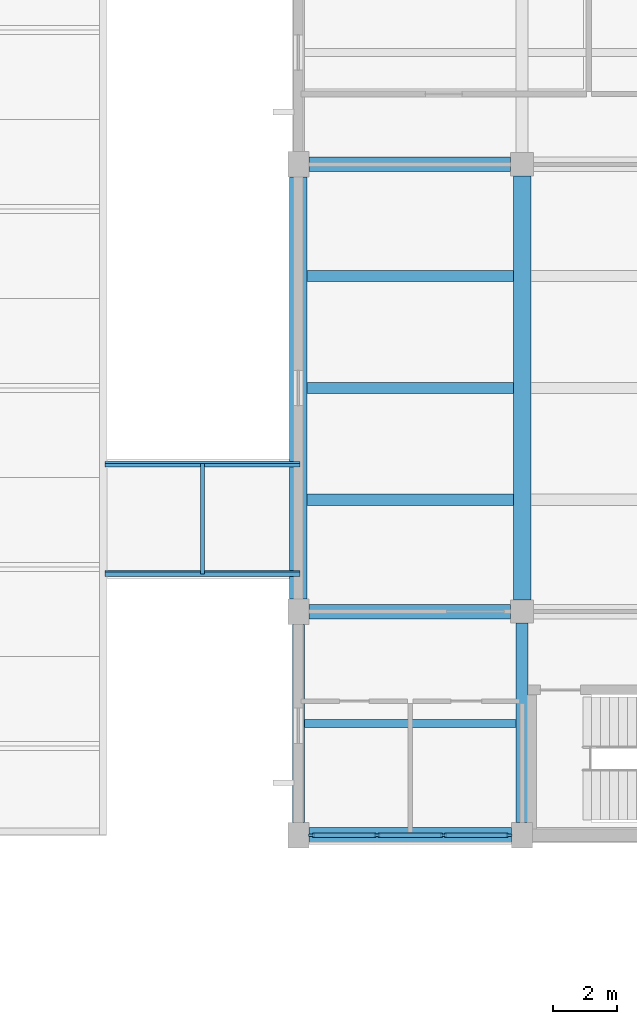
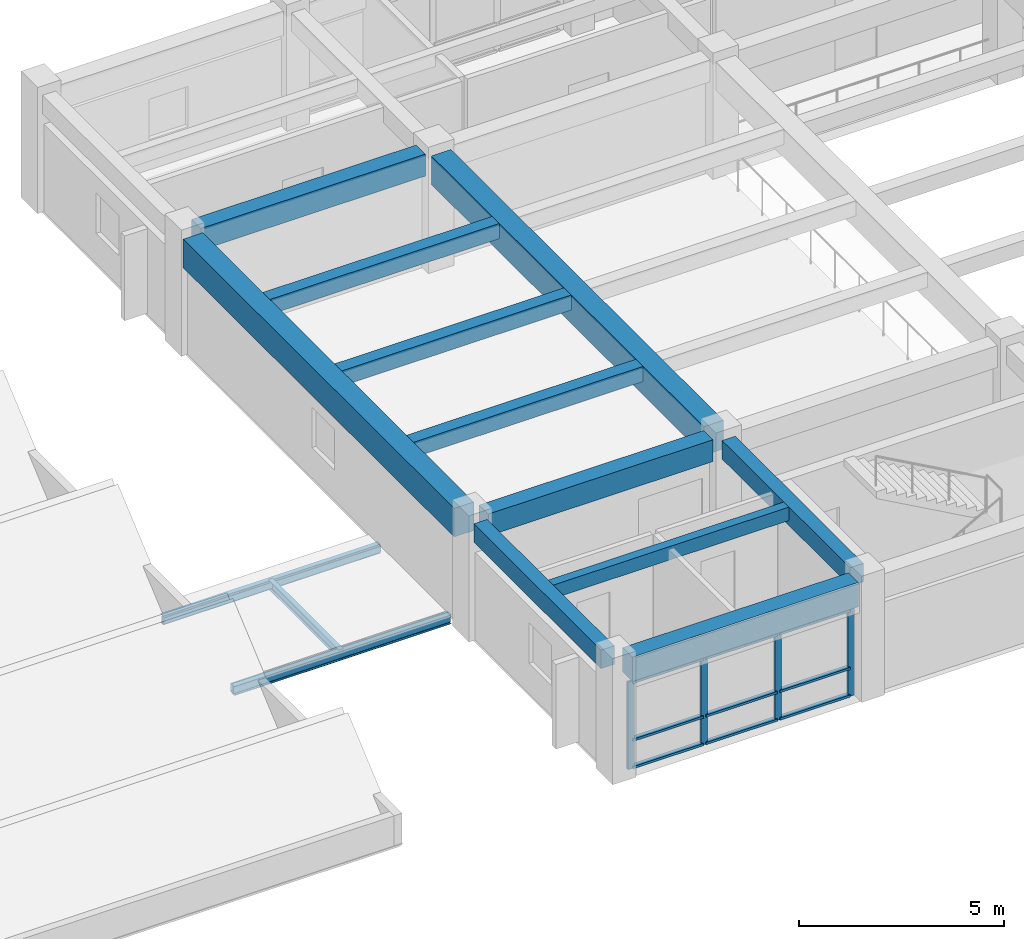
# One storey, part 4 of 42: 15 members, 14 beams, 1 element without a shape of its own.
"""IFC4 building model written with IfcOpenShell, lengths in metres."""

from ifc_helpers import new_model, si_unit, direction, frame, origin, origin_2d, place, context, subcontext, project, spatial, rectangle, hollow_rectangle, i_section, extrude, material, layer, layer_set, material_profile, profile_set, type_object, element, aggregate, save


model = new_model("IFC4")

# Units and contexts
model_context = context("Model", 3, precision=1e-05, world=origin(), true_north=direction((0.0, 1.0)))
body_context = subcontext(model_context, "Body", "Model", "MODEL_VIEW")
ifc_project = project(units=[si_unit("LENGTHUNIT", "METRE"), si_unit("AREAUNIT", "SQUARE_METRE"), si_unit("VOLUMEUNIT", "CUBIC_METRE"), si_unit("PLANEANGLEUNIT", "RADIAN"), si_unit("MASSUNIT", "GRAM", prefix="KILO")], contexts=[model_context])

# Site, building, storey
site_placement = place(None, origin())
site = spatial("IfcSite", under=ifc_project, at=site_placement, CompositionType="ELEMENT")
building_placement = place(site_placement, origin())
building = spatial("IfcBuilding", under=site, at=building_placement, Name="Naurynzar Civic Courthouse", CompositionType="ELEMENT")
storey_placement = place(building_placement, frame((0.0, 0.0, 18.300048828125)))
storey = spatial("IfcBuildingStorey", under=building, at=storey_placement, Name="L05", CompositionType="ELEMENT", Elevation=18.300048828125)

# Beams
ifc_material_1 = material(Name="Concrete C40/50", Category="concrete")
ifc_material_profile_1 = material_profile(ifc_material_1, rectangle(XDim=0.25, YDim=0.39990234375, at=origin_2d()), Name="RCB 250x400")
ifc_profile_set_1 = profile_set([ifc_material_profile_1], Name="Concrete C40/50")
beam_type_1 = type_object("IfcBeamType", Name="BM-JST-250x400", PredefinedType="JOIST", material=ifc_profile_set_1)
beam_1_placement = place(storey_placement, frame((62.1875, 47.5, 3.27001953125), z_axis=(1.0, 0.0, 0.0), x_axis=(0.0, 1.0, 0.0)))
element("IfcBeam", 1, at=beam_1_placement, inside=storey, type_object=beam_type_1, Name="V2 secondary rib 801 L05", PredefinedType="JOIST", context=body_context, shape_type="SweptSolid", body=[
    extrude(rectangle(XDim=0.25, YDim=0.39990234375, at=origin_2d()), origin(), (0.0, 0.0, 1.0), 6.625),
])
ifc_material_2 = material(Name="Concrete C40/50", Category="concrete")
ifc_material_profile_2 = material_profile(ifc_material_2, rectangle(XDim=0.550048828125, YDim=0.85009765625, at=origin_2d()), Name="PTB 550x850")
ifc_profile_set_2 = profile_set([ifc_material_profile_2], Name="Concrete C40/50")
beam_type_2 = type_object("IfcBeamType", Name="BM-PT-550x850", PredefinedType="T_BEAM", material=ifc_profile_set_2)
beam_2_placement = place(storey_placement, frame((62.0, 51.39990234375, 3.044921875), z_axis=(0.0, 1.0, 0.0), x_axis=(-1.0, 0.0, 0.0)))
element("IfcBeam", 2, at=beam_2_placement, inside=storey, type_object=beam_type_2, Name="V2 girder Y-775 L05", PredefinedType="T_BEAM", context=body_context, shape_type="SweptSolid", body=[
    extrude(rectangle(XDim=0.550048828125, YDim=0.85009765625, at=origin_2d()), origin(), (0.0, 0.0, 1.0), 13.2001953125),
])
beam_3_placement = place(storey_placement, frame((69.0, 51.362548828125, 3.044921875), z_axis=(0.0, 1.0, 0.0), x_axis=(-1.0, 0.0, 0.0)))
element("IfcBeam", 3, at=beam_3_placement, inside=storey, type_object=beam_type_2, Name="V2 girder Y-778 L05", PredefinedType="T_BEAM", context=body_context, shape_type="SweptSolid", body=[
    extrude(rectangle(XDim=0.550048828125, YDim=0.85009765625, at=origin_2d()), origin(), (0.0, 0.0, 1.0), 13.27490234375),
])
ifc_material_3 = material(Name="Concrete C40/50", Category="concrete")
ifc_material_profile_3 = material_profile(ifc_material_3, rectangle(XDim=0.35009765625, YDim=0.449951171875, at=origin_2d()), Name="RCB 350x450")
ifc_profile_set_3 = profile_set([ifc_material_profile_3], Name="Concrete C40/50")
beam_type_3 = type_object("IfcBeamType", Name="BM-RC-350x450", PredefinedType="BEAM", material=ifc_profile_set_3)
for number, where, z_axis, x_axis, name in (
    (4, (62.27490234375, 54.5, 3.244873046875), (1.0, 0.0, 0.0), (0.0, 1.0, 0.0), "V2 secondary rib 805 L05"),
    (5, (62.27490234375, 58.0, 3.244873046875), (1.0, 0.0, 0.0), (0.0, 1.0, 0.0), "V2 secondary rib 806 L05"),
    (6, (62.27490234375, 61.5, 3.244873046875), (1.0, 0.0, 0.0), (0.0, 1.0, 0.0), "V2 secondary rib 807 L05"),
):
    element("IfcBeam", number, at=place(storey_placement, frame(where, z_axis=z_axis, x_axis=x_axis)), inside=storey, type_object=beam_type_3, Name=name, PredefinedType="BEAM", context=body_context, shape_type="SweptSolid", body=[
        extrude(rectangle(XDim=0.35009765625, YDim=0.449951171875, at=origin_2d()), origin(), (0.0, 0.0, 1.0), 6.4501953125),
    ])
ifc_material_4 = material(Name="Concrete C40/50", Category="concrete")
ifc_material_profile_4 = material_profile(ifc_material_4, rectangle(XDim=0.375, YDim=0.550048828125, at=origin_2d()), Name="RCB 375x550")
ifc_profile_set_4 = profile_set([ifc_material_profile_4], Name="Concrete C40/50")
beam_type_4 = type_object("IfcBeamType", Name="BM-RC-375x550", PredefinedType="BEAM", material=ifc_profile_set_4)
beam_4_placement = place(storey_placement, frame((62.0, 44.39990234375, 3.195068359375), z_axis=(0.0, 1.0, 0.0), x_axis=(-1.0, 0.0, 0.0)))
element("IfcBeam", 7, at=beam_4_placement, inside=storey, type_object=beam_type_4, Name="V2 girder Y-774 L05", PredefinedType="BEAM", context=body_context, shape_type="SweptSolid", body=[
    extrude(rectangle(XDim=0.375, YDim=0.550048828125, at=origin_2d()), origin(), (0.0, 0.0, 1.0), 6.2001953125),
])
beam_5_placement = place(storey_placement, frame((69.0, 44.39990234375, 3.195068359375), z_axis=(0.0, 1.0, 0.0), x_axis=(-1.0, 0.0, 0.0)))
element("IfcBeam", 8, at=beam_5_placement, inside=storey, type_object=beam_type_4, Name="V2 girder Y-777 L05", PredefinedType="BEAM", context=body_context, shape_type="SweptSolid", body=[
    extrude(rectangle(XDim=0.375, YDim=0.550048828125, at=origin_2d()), origin(), (0.0, 0.0, 1.0), 6.237548828125),
])
ifc_material_5 = material(Name="Concrete C40/50", Category="concrete")
ifc_material_profile_5 = material_profile(ifc_material_5, rectangle(XDim=0.449951171875, YDim=0.64990234375, at=origin_2d()), Name="RCB 450x650")
ifc_profile_set_5 = profile_set([ifc_material_profile_5], Name="Concrete C40/50")
beam_type_5 = type_object("IfcBeamType", Name="BM-RC-450x650", PredefinedType="BEAM", material=ifc_profile_set_5)
for number, where, z_axis, x_axis, name in (
    (9, (62.324951171875, 51.0, 3.14501953125), (1.0, 0.0, 0.0), (0.0, 1.0, 0.0), "V2 beam X-750 L05"),
    (10, (62.324951171875, 65.0, 3.14501953125), (1.0, 0.0, 0.0), (0.0, 1.0, 0.0), "V2 beam X-758 L05"),
):
    element("IfcBeam", number, at=place(storey_placement, frame(where, z_axis=z_axis, x_axis=x_axis)), inside=storey, type_object=beam_type_5, Name=name, PredefinedType="BEAM", context=body_context, shape_type="SweptSolid", body=[
        extrude(rectangle(XDim=0.449951171875, YDim=0.64990234375, at=origin_2d()), origin(), (0.0, 0.0, 1.0), 6.3125),
    ])
ifc_material_6 = material(Name="Concrete C40/50", Category="concrete")
ifc_material_profile_6 = material_profile(ifc_material_6, rectangle(XDim=0.47509765625, YDim=0.72509765625, at=origin_2d()), Name="RCB 475x725")
ifc_profile_set_6 = profile_set([ifc_material_profile_6], Name="Concrete C40/50")
beam_type_6 = type_object("IfcBeamType", Name="BM-RC-475x725", PredefinedType="SPANDREL", material=ifc_profile_set_6)
beam_6_placement = place(storey_placement, frame((62.324951171875, 44.0, 3.107421875), z_axis=(1.0, 0.0, 0.0), x_axis=(0.0, 1.0, 0.0)))
element("IfcBeam", 11, at=beam_6_placement, inside=storey, type_object=beam_type_6, Name="V2 beam X-742 L05", PredefinedType="SPANDREL", context=body_context, shape_type="SweptSolid", body=[
    extrude(rectangle(XDim=0.47509765625, YDim=0.72509765625, at=origin_2d()), origin(), (0.0, 0.0, 1.0), 6.35009765625),
])
ifc_material_7 = material(Name="Steel S355", Category="steel")
ifc_material_profile_7 = material_profile(ifc_material_7, i_section(OverallWidth=0.135009765625, OverallDepth=0.27001953125, WebThickness=0.006591796875, FlangeThickness=0.01025390625, FilletRadius=0.014892578125, at=origin_2d()), Name="IPE 270")
ifc_profile_set_7 = profile_set([ifc_material_profile_7], Name="Steel S355")
beam_type_7 = type_object("IfcBeamType", Name="BM-STL-IPE270", PredefinedType="BEAM", material=ifc_profile_set_7)
for number, where, z_axis, x_axis, name in (
    (12, (55.949951171875, 52.169921875, -0.364990234375), (1.0, 0.0, 0.0), (0.0, 1.0, 0.0), "BR-N1 roof edge beam 1"),
    (13, (55.949951171875, 55.6298828125, -0.364990234375), (1.0, 0.0, 0.0), (0.0, 1.0, 0.0), "BR-N1 roof edge beam 2"),
):
    element("IfcBeam", number, at=place(storey_placement, frame(where, z_axis=z_axis, x_axis=x_axis)), inside=storey, type_object=beam_type_7, Name=name, PredefinedType="BEAM", context=body_context, shape_type="SweptSolid", body=[
        extrude(i_section(OverallWidth=0.135009765625, OverallDepth=0.27001953125, WebThickness=0.006591796875, FlangeThickness=0.01025390625, FilletRadius=0.014892578125, at=origin_2d()), origin(), (0.0, 0.0, 1.0), 6.10009765625),
    ])
beam_7_placement = place(storey_placement, frame((59.0, 52.169921875, -0.364990234375), z_axis=(0.0, 1.0, 0.0), x_axis=(-1.0, 0.0, 0.0)))
element("IfcBeam", 14, at=beam_7_placement, inside=storey, type_object=beam_type_7, Name="BR-N1 roof cross-beam 1", PredefinedType="BEAM", context=body_context, shape_type="SweptSolid", body=[
    extrude(i_section(OverallWidth=0.135009765625, OverallDepth=0.27001953125, WebThickness=0.006591796875, FlangeThickness=0.01025390625, FilletRadius=0.014892578125, at=origin_2d()), origin(), (0.0, 0.0, 1.0), 3.4599609375),
])

# Curtain wall, members
ifc_material_8 = material(Name="Aluminium 6063-T6", Category="aluminium")
ifc_layer = layer(ifc_material_8, 0.159912109375)
ifc_layer_set = layer_set([ifc_layer], Name="CW-UNIT-1800")
curtain_wall_type = type_object("IfcCurtainWallType", Name="CW-UNIT-1800", PredefinedType="NOTDEFINED", material=ifc_layer_set)
curtain_wall_placement = place(storey_placement, origin())
curtain_wall = element("IfcCurtainWall", 15, at=curtain_wall_placement, inside=storey, type_object=curtain_wall_type, Name="V2 unitised curtain wall 42 L05", PredefinedType="NOTDEFINED")
ifc_material_9 = material(Name="Aluminium 6063-T6", Category="aluminium")
ifc_material_profile_8 = material_profile(ifc_material_9, rectangle(XDim=0.070068359375, YDim=0.179931640625, at=origin_2d()), Name="ALU MULLION 70x180")
ifc_profile_set_8 = profile_set([ifc_material_profile_8], Name="Aluminium 6063-T6")
member_type_1 = type_object("IfcMemberType", Name="CWM-70x180", PredefinedType="MULLION", material=ifc_profile_set_8)
member_1_placement = place(storey_placement, frame((68.590087890625, 44.0, 0.0), z_axis=(0.0, 0.0, 1.0), x_axis=(0.0, -1.0, 0.0)))
member_1 = element("IfcMember", 16, at=member_1_placement, type_object=member_type_1, Name="CW-02 mullion 1", PredefinedType="MULLION", context=body_context, shape_type="SweptSolid", body=[
    extrude(rectangle(XDim=0.070068359375, YDim=0.179931640625, at=origin_2d()), origin(), (0.0, 0.0, 1.0), 2.599853515625),
])
member_2_placement = place(storey_placement, frame((66.541748046875, 44.0, 0.0), z_axis=(0.0, 0.0, 1.0), x_axis=(0.0, -1.0, 0.0)))
member_2 = element("IfcMember", 17, at=member_2_placement, type_object=member_type_1, Name="CW-02 mullion 2", PredefinedType="MULLION", context=body_context, shape_type="SweptSolid", body=[
    extrude(rectangle(XDim=0.070068359375, YDim=0.179931640625, at=origin_2d()), origin(), (0.0, 0.0, 1.0), 2.599853515625),
])
member_3_placement = place(storey_placement, frame((64.458251953125, 44.0, 0.0), z_axis=(0.0, 0.0, 1.0), x_axis=(0.0, -1.0, 0.0)))
member_3 = element("IfcMember", 18, at=member_3_placement, type_object=member_type_1, Name="CW-02 mullion 3", PredefinedType="MULLION", context=body_context, shape_type="SweptSolid", body=[
    extrude(rectangle(XDim=0.070068359375, YDim=0.179931640625, at=origin_2d()), origin(), (0.0, 0.0, 1.0), 2.599853515625),
])
member_4_placement = place(storey_placement, frame((62.409912109375, 44.0, 0.0), z_axis=(0.0, 0.0, 1.0), x_axis=(0.0, -1.0, 0.0)))
member_4 = element("IfcMember", 19, at=member_4_placement, type_object=member_type_1, Name="CW-02 mullion 4", PredefinedType="MULLION", context=body_context, shape_type="SweptSolid", body=[
    extrude(rectangle(XDim=0.070068359375, YDim=0.179931640625, at=origin_2d()), origin(), (0.0, 0.0, 1.0), 2.599853515625),
])
ifc_material_10 = material(Name="Aluminium 6063-T6", Category="aluminium")
ifc_material_profile_9 = material_profile(ifc_material_10, rectangle(XDim=0.1298828125, YDim=0.070068359375, at=origin_2d()), Name="ALU TRANSOM 70x130")
ifc_profile_set_9 = profile_set([ifc_material_profile_9], Name="Aluminium 6063-T6")
member_type_2 = type_object("IfcMemberType", Name="CWT-70x130", PredefinedType="USERDEFINED", material=ifc_profile_set_9)
member_5_placement = place(storey_placement, frame((68.554931640625, 44.0, 0.034912109375), z_axis=(-1.0, 0.0, 0.0), x_axis=(0.0, -1.0, 0.0)))
member_5 = element("IfcMember", 20, at=member_5_placement, type_object=member_type_2, Name="CW-02 transom 1.1", ObjectType="TRANSOM", PredefinedType="USERDEFINED", context=body_context, shape_type="SweptSolid", body=[
    extrude(rectangle(XDim=0.1298828125, YDim=0.070068359375, at=origin_2d()), origin(), (0.0, 0.0, 1.0), 1.978271484375),
])
member_6_placement = place(storey_placement, frame((68.554931640625, 44.0, 0.849853515625), z_axis=(-1.0, 0.0, 0.0), x_axis=(0.0, -1.0, 0.0)))
member_6 = element("IfcMember", 21, at=member_6_placement, type_object=member_type_2, Name="CW-02 transom 1.2", ObjectType="TRANSOM", PredefinedType="USERDEFINED", context=body_context, shape_type="SweptSolid", body=[
    extrude(rectangle(XDim=0.1298828125, YDim=0.070068359375, at=origin_2d()), origin(), (0.0, 0.0, 1.0), 1.978271484375),
])
member_7_placement = place(storey_placement, frame((68.554931640625, 44.0, 2.56494140625), z_axis=(-1.0, 0.0, 0.0), x_axis=(0.0, -1.0, 0.0)))
member_7 = element("IfcMember", 22, at=member_7_placement, type_object=member_type_2, Name="CW-02 transom 1.3", ObjectType="TRANSOM", PredefinedType="USERDEFINED", context=body_context, shape_type="SweptSolid", body=[
    extrude(rectangle(XDim=0.1298828125, YDim=0.070068359375, at=origin_2d()), origin(), (0.0, 0.0, 1.0), 1.978271484375),
])
member_8_placement = place(storey_placement, frame((66.506591796875, 44.0, 0.034912109375), z_axis=(-1.0, 0.0, 0.0), x_axis=(0.0, -1.0, 0.0)))
member_8 = element("IfcMember", 23, at=member_8_placement, type_object=member_type_2, Name="CW-02 transom 2.1", ObjectType="TRANSOM", PredefinedType="USERDEFINED", context=body_context, shape_type="SweptSolid", body=[
    extrude(rectangle(XDim=0.1298828125, YDim=0.070068359375, at=origin_2d()), origin(), (0.0, 0.0, 1.0), 2.01318359375),
])
member_9_placement = place(storey_placement, frame((66.506591796875, 44.0, 0.849853515625), z_axis=(-1.0, 0.0, 0.0), x_axis=(0.0, -1.0, 0.0)))
member_9 = element("IfcMember", 24, at=member_9_placement, type_object=member_type_2, Name="CW-02 transom 2.2", ObjectType="TRANSOM", PredefinedType="USERDEFINED", context=body_context, shape_type="SweptSolid", body=[
    extrude(rectangle(XDim=0.1298828125, YDim=0.070068359375, at=origin_2d()), origin(), (0.0, 0.0, 1.0), 2.01318359375),
])
member_10_placement = place(storey_placement, frame((66.506591796875, 44.0, 2.56494140625), z_axis=(-1.0, 0.0, 0.0), x_axis=(0.0, -1.0, 0.0)))
member_10 = element("IfcMember", 25, at=member_10_placement, type_object=member_type_2, Name="CW-02 transom 2.3", ObjectType="TRANSOM", PredefinedType="USERDEFINED", context=body_context, shape_type="SweptSolid", body=[
    extrude(rectangle(XDim=0.1298828125, YDim=0.070068359375, at=origin_2d()), origin(), (0.0, 0.0, 1.0), 2.01318359375),
])
member_11_placement = place(storey_placement, frame((64.42333984375, 44.0, 0.034912109375), z_axis=(-1.0, 0.0, 0.0), x_axis=(0.0, -1.0, 0.0)))
member_11 = element("IfcMember", 26, at=member_11_placement, type_object=member_type_2, Name="CW-02 transom 3.1", ObjectType="TRANSOM", PredefinedType="USERDEFINED", context=body_context, shape_type="SweptSolid", body=[
    extrude(rectangle(XDim=0.1298828125, YDim=0.070068359375, at=origin_2d()), origin(), (0.0, 0.0, 1.0), 1.978271484375),
])
member_12_placement = place(storey_placement, frame((64.42333984375, 44.0, 0.849853515625), z_axis=(-1.0, 0.0, 0.0), x_axis=(0.0, -1.0, 0.0)))
member_12 = element("IfcMember", 27, at=member_12_placement, type_object=member_type_2, Name="CW-02 transom 3.2", ObjectType="TRANSOM", PredefinedType="USERDEFINED", context=body_context, shape_type="SweptSolid", body=[
    extrude(rectangle(XDim=0.1298828125, YDim=0.070068359375, at=origin_2d()), origin(), (0.0, 0.0, 1.0), 1.978271484375),
])
member_13_placement = place(storey_placement, frame((64.42333984375, 44.0, 2.56494140625), z_axis=(-1.0, 0.0, 0.0), x_axis=(0.0, -1.0, 0.0)))
member_13 = element("IfcMember", 28, at=member_13_placement, type_object=member_type_2, Name="CW-02 transom 3.3", ObjectType="TRANSOM", PredefinedType="USERDEFINED", context=body_context, shape_type="SweptSolid", body=[
    extrude(rectangle(XDim=0.1298828125, YDim=0.070068359375, at=origin_2d()), origin(), (0.0, 0.0, 1.0), 1.978271484375),
])
aggregate(curtain_wall, [member_1, member_2, member_3, member_4, member_5, member_6, member_7, member_8, member_9, member_10, member_11, member_12, member_13])

# Members
ifc_material_11 = material(Name="Steel S355", Category="steel")
ifc_material_profile_10 = material_profile(ifc_material_11, hollow_rectangle(XDim=0.1201171875, YDim=0.199951171875, WallThickness=0.008056640625, InnerFilletRadius=0.008056640625, OuterFilletRadius=0.01611328125, at=origin_2d()), Name="RHS 200x120x8")
ifc_profile_set_10 = profile_set([ifc_material_profile_10], Name="Steel S355")
member_type_3 = type_object("IfcMemberType", Name="MEM-CHORD-RHS200", PredefinedType="CHORD", material=ifc_profile_set_10)
member_14_placement = place(storey_placement, frame((55.949951171875, 55.580078125, -0.35498046875), z_axis=(1.0, 0.0, 0.0), x_axis=(0.0, 1.0, 0.0)))
element("IfcMember", 29, at=member_14_placement, inside=storey, type_object=member_type_3, Name="BR-N1 roof chord 2", PredefinedType="CHORD", context=body_context, shape_type="SweptSolid", body=[
    extrude(hollow_rectangle(XDim=0.1201171875, YDim=0.199951171875, WallThickness=0.008056640625, InnerFilletRadius=0.008056640625, OuterFilletRadius=0.01611328125, at=origin_2d()), origin(), (0.0, 0.0, 1.0), 6.10009765625),
])
ifc_material_12 = material(Name="Steel S355", Category="steel")
ifc_material_profile_11 = material_profile(ifc_material_12, hollow_rectangle(XDim=0.14990234375, YDim=0.25, WallThickness=0.010009765625, InnerFilletRadius=0.010009765625, OuterFilletRadius=0.02001953125, at=origin_2d()), Name="RHS 250x150x10")
ifc_profile_set_11 = profile_set([ifc_material_profile_11], Name="Steel S355")
member_type_4 = type_object("IfcMemberType", Name="MEM-CHORD-RHS250", PredefinedType="CHORD", material=ifc_profile_set_11)
member_15_placement = place(storey_placement, frame((55.949951171875, 52.219970703125, -0.35498046875), z_axis=(1.0, 0.0, 0.0), x_axis=(0.0, 1.0, 0.0)))
element("IfcMember", 30, at=member_15_placement, inside=storey, type_object=member_type_4, Name="BR-N1 roof chord 1", PredefinedType="CHORD", context=body_context, shape_type="SweptSolid", body=[
    extrude(hollow_rectangle(XDim=0.14990234375, YDim=0.25, WallThickness=0.010009765625, InnerFilletRadius=0.010009765625, OuterFilletRadius=0.02001953125, at=origin_2d()), origin(), (0.0, 0.0, 1.0), 6.10009765625),
])

save(model, "model.ifc")
